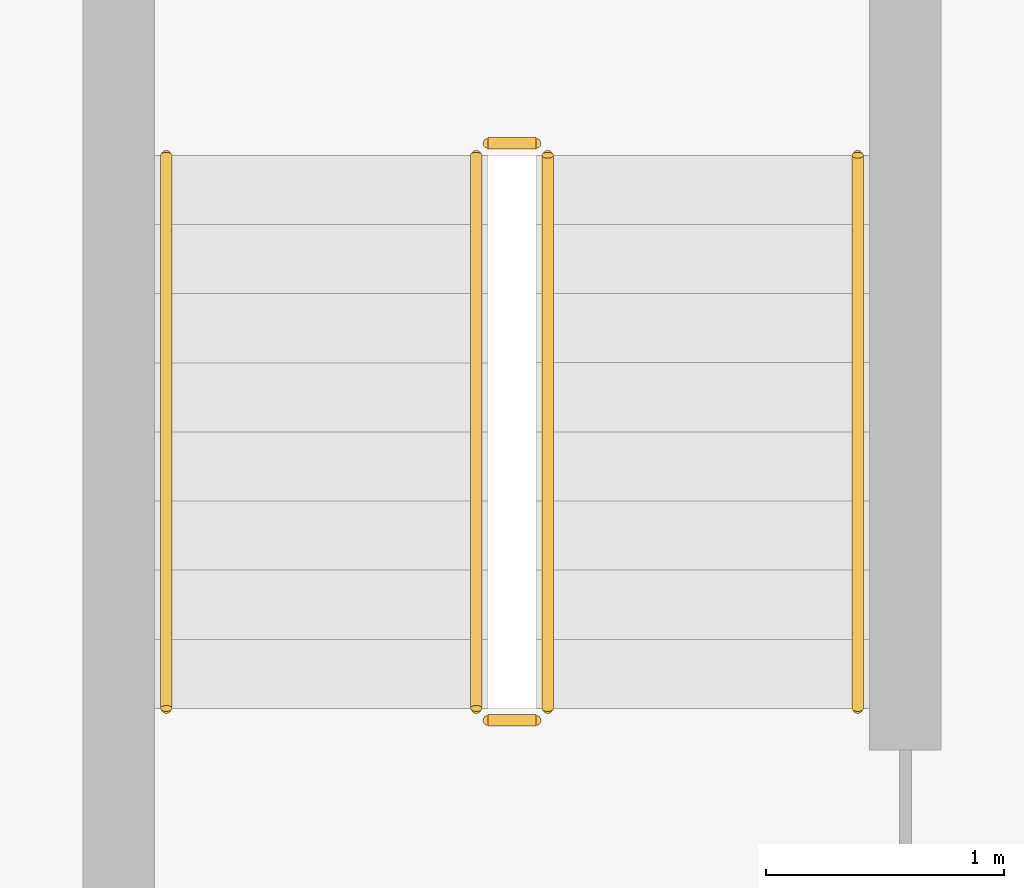
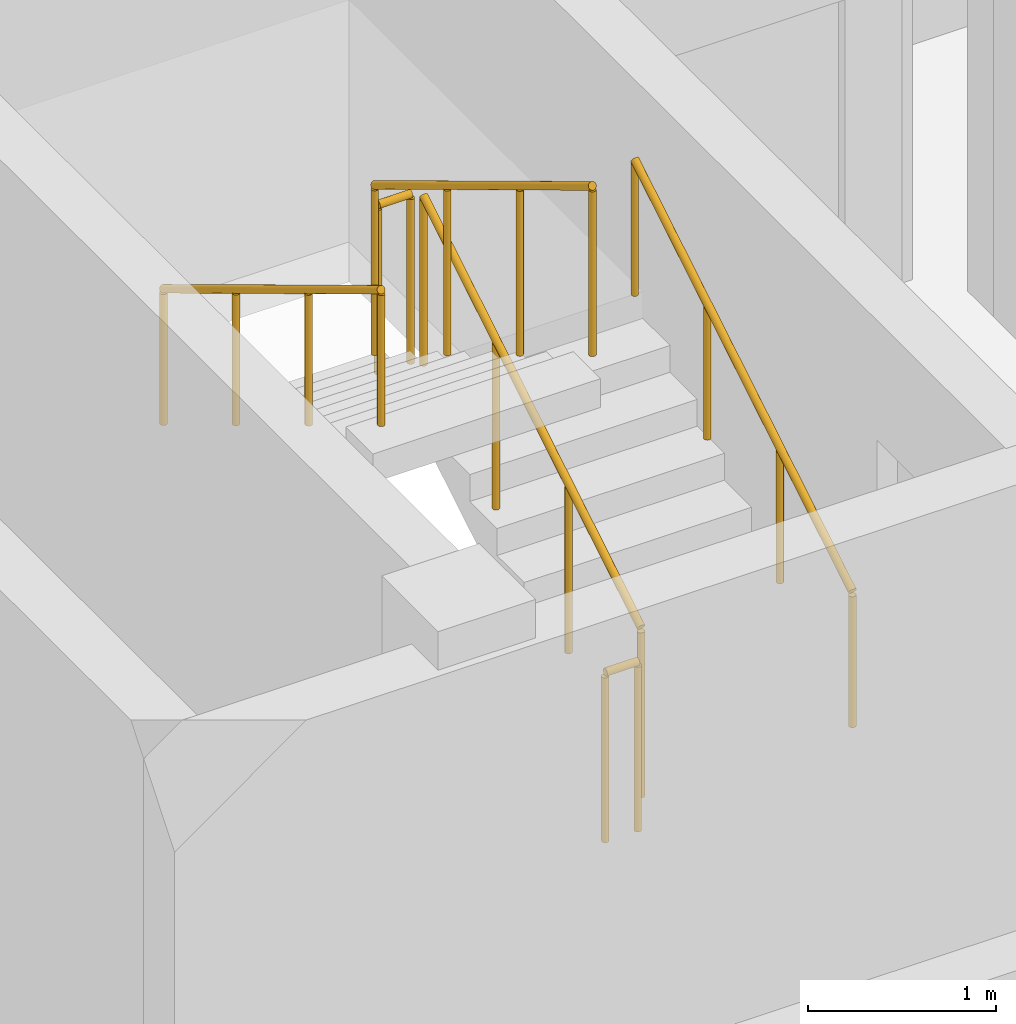
# One storey, part 28 of 35: 6 railings.
"""IFC4 building model written with IfcOpenShell, lengths in metres."""

from ifc_helpers import new_model, si_unit, derived_unit, direction, frame, origin, origin_2d, place, context, subcontext, project, spatial, circle, extrude, material, type_object, element, save


model = new_model("IFC4")

# Units and contexts
model_context = context("Model", 3, precision=1e-05, world=origin(), true_north=direction((0.0, 1.0)))
body_context = subcontext(model_context, "Body", "Model", "MODEL_VIEW")
ifc_project = project(units=[si_unit("LENGTHUNIT", "METRE"), si_unit("AREAUNIT", "SQUARE_METRE"), si_unit("VOLUMEUNIT", "CUBIC_METRE"), si_unit("PLANEANGLEUNIT", "RADIAN"), si_unit("MASSUNIT", "GRAM", prefix="KILO"), derived_unit("THERMALTRANSMITTANCEUNIT", [(si_unit("MASSUNIT", "GRAM", prefix="KILO"), 1), (si_unit("TIMEUNIT", "SECOND"), -3), (si_unit("THERMODYNAMICTEMPERATUREUNIT", "KELVIN"), -1)])], contexts=[model_context])

# Site, building, storey
site_placement = place(None, origin())
site = spatial("IfcSite", under=ifc_project, at=site_placement, CompositionType="ELEMENT")
building_placement = place(site_placement, origin())
building = spatial("IfcBuilding", under=site, at=building_placement, Name="Ochrekiln Boulevard Commons", CompositionType="ELEMENT")
storey_placement = place(building_placement, frame((0.0, 0.0, 30.97509765625)))
storey = spatial("IfcBuildingStorey", under=building, at=storey_placement, Name="L09", CompositionType="ELEMENT", Elevation=30.97509765625)

# Railings
ifc_material = material(Name="Brushed stainless steel 316 tubular railing", Category="steel")
railing_type_1 = type_object("IfcRailingType", Name="RLG-HDR-900", PredefinedType="HANDRAIL", material=ifc_material)
railing_1_placement = place(storey_placement, frame((159.449951171875, 1.8701171875, 0.1748046875)))
element("IfcRailing", 1, at=railing_1_placement, inside=storey, type_object=railing_type_1, Name="L09 ST-C1 stair handrail 1", PredefinedType="HANDRAIL", context=body_context, shape_type="SweptSolid", body=[
    extrude(circle(Radius=0.02392578125, at=origin_2d()), frame((0.0, 0.0, 0.8759765625), z_axis=(0.0, 0.856146426353, 0.516733293531), x_axis=(-1.0, 0.0, 0.0)), (0.0, 0.0, 1.0), 2.709716796875),
    extrude(circle(Radius=0.02099609375, at=origin_2d()), origin(), (0.0, 0.0, 1.0), 0.851806640625),
    extrude(circle(Radius=0.02099609375, at=origin_2d()), frame((0.0, 0.773193359375, 0.466796875)), (0.0, 0.0, 1.0), 0.851806640625),
    extrude(circle(Radius=0.02099609375, at=origin_2d()), frame((0.0, 1.546630859375, 0.933349609375)), (0.0, 0.0, 1.0), 0.851806640625),
    extrude(circle(Radius=0.02099609375, at=origin_2d()), frame((0.0, 2.31982421875, 1.400146484375)), (0.0, 0.0, 1.0), 0.851806640625),
])
railing_2_placement = place(storey_placement, frame((156.550048828125, 4.18994140625, 1.75)))
element("IfcRailing", 2, at=railing_2_placement, inside=storey, type_object=railing_type_1, Name="L09 ST-C1 stair handrail 2", PredefinedType="HANDRAIL", context=body_context, shape_type="SweptSolid", body=[
    extrude(circle(Radius=0.02392578125, at=origin_2d()), frame((0.0, 0.0, 0.8759765625), z_axis=(0.0, -0.856186286599, 0.516667245565), x_axis=(1.0, 0.0, 0.0)), (0.0, 0.0, 1.0), 2.70947265625),
    extrude(circle(Radius=0.02099609375, at=origin_2d()), origin(), (0.0, 0.0, 1.0), 0.851806640625),
    extrude(circle(Radius=0.02099609375, at=origin_2d()), frame((0.0, -0.773193359375, 0.466552734375)), (0.0, 0.0, 1.0), 0.851806640625),
    extrude(circle(Radius=0.02099609375, at=origin_2d()), frame((0.0, -1.546630859375, 0.933349609375)), (0.0, 0.0, 1.0), 0.851806640625),
    extrude(circle(Radius=0.02099609375, at=origin_2d()), frame((0.0, -2.31982421875, 1.39990234375)), (0.0, 0.0, 1.0), 0.851806640625),
])
railing_type_2 = type_object("IfcRailingType", Name="RLG-STR-1120", PredefinedType="BALUSTRADE", material=ifc_material)
railing_3_placement = place(storey_placement, frame((158.14990234375, 1.8701171875, 0.1748046875)))
element("IfcRailing", 3, at=railing_3_placement, inside=storey, type_object=railing_type_2, Name="L09 ST-C1 stair guard 1", PredefinedType="BALUSTRADE", context=body_context, shape_type="SweptSolid", body=[
    extrude(circle(Radius=0.02392578125, at=origin_2d()), frame((0.0, 0.0, 1.09619140625), z_axis=(0.0, 0.856146426353, 0.516733293531), x_axis=(-1.0, 0.0, 0.0)), (0.0, 0.0, 1.0), 2.709716796875),
    extrude(circle(Radius=0.02099609375, at=origin_2d()), origin(), (0.0, 0.0, 1.0), 1.072021484375),
    extrude(circle(Radius=0.02099609375, at=origin_2d()), frame((0.0, 0.773193359375, 0.466796875)), (0.0, 0.0, 1.0), 1.072021484375),
    extrude(circle(Radius=0.02099609375, at=origin_2d()), frame((0.0, 1.546630859375, 0.933349609375)), (0.0, 0.0, 1.0), 1.072021484375),
    extrude(circle(Radius=0.02099609375, at=origin_2d()), frame((0.0, 2.31982421875, 1.400146484375)), (0.0, 0.0, 1.0), 1.072021484375),
])
railing_4_placement = place(storey_placement, frame((158.10009765625, 4.239990234375, 1.574951171875)))
element("IfcRailing", 4, at=railing_4_placement, inside=storey, type_object=railing_type_2, Name="L09 ST-C1 stair guard 2", PredefinedType="BALUSTRADE", context=body_context, shape_type="SweptSolid", body=[
    extrude(circle(Radius=0.02392578125, at=origin_2d()), frame((0.0, 0.0, 1.09619140625), z_axis=(-1.0, 0.0, 0.0), x_axis=(0.0, -1.0, 0.0)), (0.0, 0.0, 1.0), 0.2001953125),
    extrude(circle(Radius=0.02099609375, at=origin_2d()), origin(), (0.0, 0.0, 1.0), 1.072021484375),
    extrude(circle(Radius=0.02099609375, at=origin_2d()), frame((-0.2001953125, 0.0, 0.0)), (0.0, 0.0, 1.0), 1.072021484375),
])
railing_5_placement = place(storey_placement, frame((157.85009765625, 4.18994140625, 1.75)))
element("IfcRailing", 5, at=railing_5_placement, inside=storey, type_object=railing_type_2, Name="L09 ST-C1 stair guard 3", PredefinedType="BALUSTRADE", context=body_context, shape_type="SweptSolid", body=[
    extrude(circle(Radius=0.02392578125, at=origin_2d()), frame((0.0, 0.0, 1.09619140625), z_axis=(0.0, -0.856186286599, 0.516667245565), x_axis=(1.0, 0.0, 0.0)), (0.0, 0.0, 1.0), 2.70947265625),
    extrude(circle(Radius=0.02099609375, at=origin_2d()), origin(), (0.0, 0.0, 1.0), 1.072021484375),
    extrude(circle(Radius=0.02099609375, at=origin_2d()), frame((0.0, -0.773193359375, 0.466552734375)), (0.0, 0.0, 1.0), 1.072021484375),
    extrude(circle(Radius=0.02099609375, at=origin_2d()), frame((0.0, -1.546630859375, 0.933349609375)), (0.0, 0.0, 1.0), 1.072021484375),
    extrude(circle(Radius=0.02099609375, at=origin_2d()), frame((0.0, -2.31982421875, 1.39990234375)), (0.0, 0.0, 1.0), 1.072021484375),
])
railing_6_placement = place(storey_placement, frame((158.10009765625, 1.820068359375, 0.0)))
element("IfcRailing", 6, at=railing_6_placement, inside=storey, type_object=railing_type_2, Name="L09 ST-C1 stair guard 4", PredefinedType="BALUSTRADE", context=body_context, shape_type="SweptSolid", body=[
    extrude(circle(Radius=0.02392578125, at=origin_2d()), frame((0.0, 0.0, 1.09619140625), z_axis=(-1.0, 0.0, 0.0), x_axis=(0.0, -1.0, 0.0)), (0.0, 0.0, 1.0), 0.2001953125),
    extrude(circle(Radius=0.02099609375, at=origin_2d()), origin(), (0.0, 0.0, 1.0), 1.072021484375),
    extrude(circle(Radius=0.02099609375, at=origin_2d()), frame((-0.2001953125, 0.0, 0.0)), (0.0, 0.0, 1.0), 1.072021484375),
])

save(model, "model.ifc")
